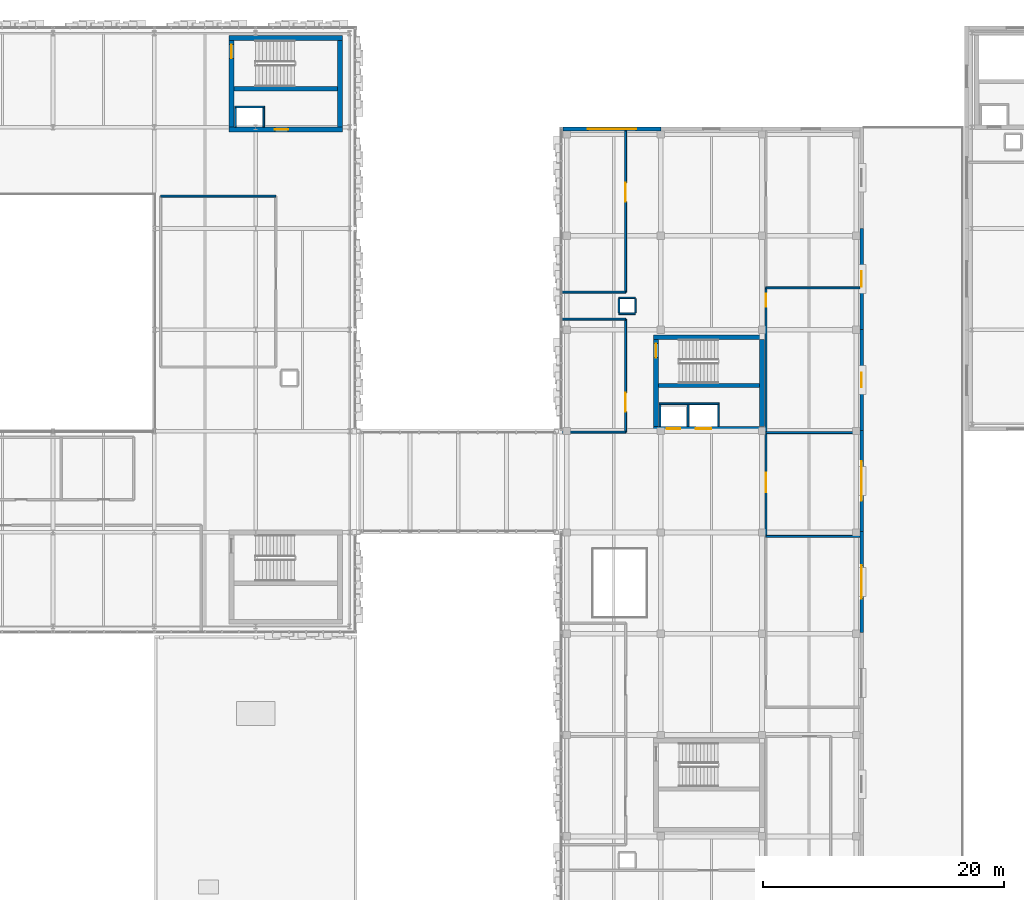
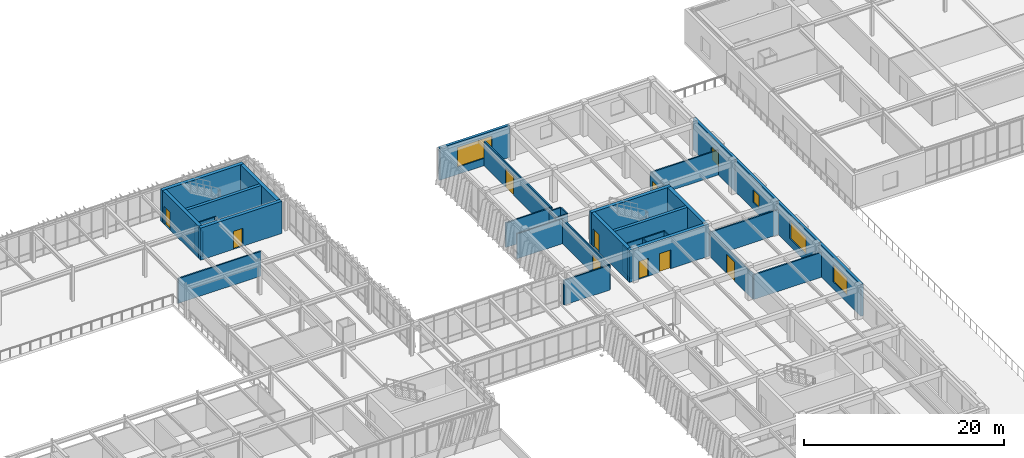
# One storey, part 109 of 127: 37 walls, 9 doors, 5 windows, 14 openings.
"""IFC4 building model written with IfcOpenShell, lengths in metres."""

import ifcopenshell
import ifcopenshell.guid

model = None  # the IFC model being written
_history = None  # IfcOwnerHistory: only IFC2X3 demands one
_inside = {}  # id of a spatial element -> (the spatial element, [elements in it])
_under = {}  # id of a project, library or spatial element -> (it, [spatial elements below it])
_declared = {}  # id of a project -> (the project, [libraries it declares])
_typed = {}  # id of a type object -> (the type object, [elements of that type])
_made_of = {}  # id of a material, layer set ... -> (it, [elements and type objects made of it])


def new_model(schema):
    """Start an empty IFC model of exactly this schema.

    Asked for "IFC4X3", IfcOpenShell would pick the latest addendum, in which some entities
    have other attributes; the version numbers below select the first issue.
    IFC2X3 requires an IfcOwnerHistory on every rooted entity: one is made here for all.
    """
    global model, _history
    if schema == "IFC4X3":
        model = ifcopenshell.file(schema_version=(4, 3, 0, 0))
    else:
        model = ifcopenshell.file(schema=schema)
    _inside.clear()
    _under.clear()
    _declared.clear()
    _typed.clear()
    _made_of.clear()
    _history = None
    if model.schema == "IFC2X3":
        org = make("IfcOrganization", Name="unknown")
        user = make(
            "IfcPersonAndOrganization",
            ThePerson=make("IfcPerson", FamilyName="unknown"),
            TheOrganization=org,
        )
        app = make(
            "IfcApplication",
            ApplicationDeveloper=org,
            Version="unknown",
            ApplicationFullName="unknown",
            ApplicationIdentifier="unknown",
        )
        _history = make(
            "IfcOwnerHistory",
            OwningUser=user,
            OwningApplication=app,
            ChangeAction="ADDED",
            CreationDate=0,
        )
    return model


def make(cls, **values):
    """One entity of the class cls with the attributes given. An attribute that is None is left unset."""
    return model.create_entity(
        cls, **{name: value for name, value in values.items() if value is not None}
    )


def rooted(cls, **values):
    """An entity with a GlobalId (a new one), such as an element, a storey or a relation."""
    return make(cls, GlobalId=ifcopenshell.guid.new(), OwnerHistory=_history, **values)


def si_unit(unit_type, name, prefix=None):
    """IfcSIUnit, for example si_unit("LENGTHUNIT", "METRE", prefix="MILLI")."""
    return make("IfcSIUnit", UnitType=unit_type, Prefix=prefix, Name=name)


def assignment(units):
    """IfcUnitAssignment: the units of a project."""
    return None if units is None else make("IfcUnitAssignment", Units=units)


def point(xyz):
    """IfcCartesianPoint."""
    return None if xyz is None else make("IfcCartesianPoint", Coordinates=xyz)


def direction(xyz):
    """IfcDirection."""
    return None if xyz is None else make("IfcDirection", DirectionRatios=xyz)


def frame(location, z_axis=None, x_axis=None):
    """IfcAxis2Placement3D, a coordinate frame: its origin and axes. An axis left out is left unset."""
    return make(
        "IfcAxis2Placement3D",
        Location=point(location),
        Axis=direction(z_axis),
        RefDirection=direction(x_axis),
    )


def frame_2d(location, x_axis=None):
    """IfcAxis2Placement2D, a coordinate frame in the plane: its origin and x axis."""
    return make(
        "IfcAxis2Placement2D", Location=point(location), RefDirection=direction(x_axis)
    )


def origin():
    """The frame at (0, 0, 0) with its axes left unset."""
    return frame((0.0, 0.0, 0.0))


def place(relative_to, where):
    """IfcLocalPlacement: puts the frame where relative to a parent placement (None: the world)."""
    return make(
        "IfcLocalPlacement", PlacementRelTo=relative_to, RelativePlacement=where
    )


def context(
    kind, dimensions, precision=None, world=None, true_north=None, identifier=None
):
    """IfcGeometricRepresentationContext, for example the 3D "Model" context."""
    return make(
        "IfcGeometricRepresentationContext",
        ContextIdentifier=identifier,
        ContextType=kind,
        CoordinateSpaceDimension=dimensions,
        Precision=precision,
        WorldCoordinateSystem=world,
        TrueNorth=true_north,
    )


def subcontext(parent, identifier, kind, view, scale=None):
    """IfcGeometricRepresentationSubContext, for example "Body" below "Model"."""
    return make(
        "IfcGeometricRepresentationSubContext",
        ContextIdentifier=identifier,
        ContextType=kind,
        ParentContext=parent,
        TargetScale=scale,
        TargetView=view,
    )


def project(units=None, contexts=None):
    """IfcProject with its units and contexts."""
    return rooted(
        "IfcProject",
        Name="project",
        RepresentationContexts=contexts,
        UnitsInContext=assignment(units),
    )


def spatial(cls, under=None, at=None, **own):
    """A site, building, storey or space (cls), placed at a placement, below another one or the project."""
    s = rooted(cls, ObjectPlacement=at, **own)
    if under is not None:
        _under.setdefault(under.id(), (under, []))[1].append(s)
    return s


def profile(cls, at=None, kind="AREA", **sizes):
    """A parametric profile (cls). Its sizes go by their IFC names, for example OverallWidth=200.0."""
    return make(cls, ProfileType=kind, Position=at, **sizes)


def rectangle(**sizes):
    """IfcRectangleProfileDef."""
    return profile("IfcRectangleProfileDef", **sizes)


def extrude(swept, where, along, depth):
    """IfcExtrudedAreaSolid: the profile swept, set in the frame where, extruded along a direction by depth."""
    return make(
        "IfcExtrudedAreaSolid",
        SweptArea=swept,
        Position=where,
        ExtrudedDirection=direction(along),
        Depth=depth,
    )


def shape(context_of_items, identifier, shape_type, items):
    """IfcShapeRepresentation: the items that make up one representation, for example the "Body"."""
    return make(
        "IfcShapeRepresentation",
        ContextOfItems=context_of_items,
        RepresentationIdentifier=identifier,
        RepresentationType=shape_type,
        Items=items,
    )


def material(Name=None, Category=None):
    """IfcMaterial."""
    return make("IfcMaterial", Name=Name, Category=Category)


def layer(
    of_material, thickness, ventilated=None, Name=None, Category=None, Priority=None
):
    """IfcMaterialLayer: one layer of a wall or slab, of a material (None: an air gap)."""
    return make(
        "IfcMaterialLayer",
        Material=of_material,
        LayerThickness=thickness,
        IsVentilated=ventilated,
        Name=Name,
        Category=Category,
        Priority=Priority,
    )


def layer_set(layers, Name=None):
    """IfcMaterialLayerSet."""
    return make("IfcMaterialLayerSet", MaterialLayers=layers, LayerSetName=Name)


def made_of(thing, what):
    """Note that an element or type object is made of a material, layer set ...; save() writes the relation."""
    if what is not None:
        _made_of.setdefault(what.id(), (what, []))[1].append(thing)
    return thing


def type_object(cls, material=None, **own):
    """A type object (cls), such as IfcWallType, which elements share."""
    return made_of(rooted(cls, **own), material)


def element(
    cls,
    number,
    at=None,
    inside=None,
    cuts=None,
    type_object=None,
    material=None,
    context=None,
    identifier="Body",
    shape_type=None,
    held_by="IfcProductDefinitionShape",
    body=None,
    shapes=None,
    **own,
):
    """One element of the class cls, such as IfcWall. Its Tag is "e" and its number.

    at: its placement. inside: the storey or other place that contains it. cuts: it is an
    opening in that element (IfcRelVoidsElement). A single representation is given by context,
    identifier, shape_type and body (its items); several are given by shapes. held_by: the class
    of the entity that holds the representations. save() writes the other relations.
    """
    e = rooted(cls, Tag="e%d" % number, ObjectPlacement=at, **own)
    if body is not None:
        shapes = [shape(context, identifier, shape_type, body)]
    if shapes is not None:
        e.Representation = make(held_by, Representations=shapes)
    if inside is not None:
        _inside.setdefault(inside.id(), (inside, []))[1].append(e)
    if cuts is not None:
        rooted(
            "IfcRelVoidsElement", RelatingBuildingElement=cuts, RelatedOpeningElement=e
        )
    if type_object is not None:
        _typed.setdefault(type_object.id(), (type_object, []))[1].append(e)
    return made_of(e, material)


def fill(opening, filler):
    """IfcRelFillsElement: the door or window that sits in an opening."""
    return rooted(
        "IfcRelFillsElement",
        RelatingOpeningElement=opening,
        RelatedBuildingElement=filler,
    )


def aggregate(whole, parts):
    """IfcRelAggregates: a whole, such as a stair, and the parts it consists of."""
    return rooted("IfcRelAggregates", RelatingObject=whole, RelatedObjects=parts)


def save(model, path):
    """Write the relations noted so far, then the file.

    IfcRelAggregates (storeys below a building ...), IfcRelContainedInSpatialStructure (elements
    in a storey), IfcRelDefinesByType, IfcRelAssociatesMaterial and IfcRelDeclares: one each for
    every whole, place, type object, material and project.
    """
    for whole, parts in _under.values():
        aggregate(whole, parts)
    for where, things in _inside.values():
        rooted(
            "IfcRelContainedInSpatialStructure",
            RelatedElements=things,
            RelatingStructure=where,
        )
    for kind, things in _typed.values():
        rooted("IfcRelDefinesByType", RelatedObjects=things, RelatingType=kind)
    for what, things in _made_of.values():
        rooted("IfcRelAssociatesMaterial", RelatedObjects=things, RelatingMaterial=what)
    for by, libraries in _declared.values():
        rooted("IfcRelDeclares", RelatingContext=by, RelatedDefinitions=libraries)
    model.write(path)


model = new_model("IFC4")

# Units and contexts
model_context = context("Model", 3, precision=1e-05, world=origin(), true_north=direction((0.0, 1.0)))
body_context = subcontext(model_context, "Body", "Model", "MODEL_VIEW")
ifc_project = project(units=[si_unit("LENGTHUNIT", "METRE"), si_unit("AREAUNIT", "SQUARE_METRE"), si_unit("VOLUMEUNIT", "CUBIC_METRE"), si_unit("PLANEANGLEUNIT", "RADIAN"), si_unit("MASSUNIT", "GRAM", prefix="KILO")], contexts=[model_context])

# Site, building, storey
site_placement = place(None, origin())
site = spatial("IfcSite", under=ifc_project, at=site_placement, CompositionType="ELEMENT")
building_placement = place(site_placement, origin())
building = spatial("IfcBuilding", under=site, at=building_placement, Name="Zayran Congress Hotel", CompositionType="ELEMENT")
storey_placement = place(building_placement, frame((0.0, 0.0, 10.800048828125)))
storey = spatial("IfcBuildingStorey", under=building, at=storey_placement, Name="L02", CompositionType="ELEMENT", Elevation=10.800048828125)

# Wall, opening, window
ifc_material_1 = material(Name="Ajlun white limestone and insulated concrete C32/40", Category="masonry")
ifc_layer_1 = layer(ifc_material_1, 0.300048828125)
ifc_layer_set_1 = layer_set([ifc_layer_1], Name="Ajlun white limestone and insulated concrete C32/40")
wall_type_1 = type_object("IfcWallType", Name="WL-EX-300", PredefinedType="SOLIDWALL", material=ifc_layer_set_1)
wall_1_placement = place(storey_placement, frame((109.5, 109.449951171875, 0.0), z_axis=(0.0, 0.0, 1.0), x_axis=(1.0, 0.0, 0.0)))
wall_1 = element("IfcWall", 1, at=wall_1_placement, inside=storey, type_object=wall_type_1, Name="EW-V4-N-L02-0", PredefinedType="SOLIDWALL", context=body_context, shape_type="SweptSolid", body=[
    extrude(rectangle(XDim=8.10009765625, YDim=0.300048828125, at=frame_2d((4.050048828125, 0.0))), origin(), (0.0, 0.0, 1.0), 3.919921875),
])
opening_1_placement = place(wall_1_placement, frame((2.050048828125, 0.0, 0.89990234375)))
opening_1 = element("IfcOpeningElement", 2, at=opening_1_placement, cuts=wall_1, Name="Opening WN-22", PredefinedType="OPENING", context=body_context, shape_type="SweptSolid", body=[
    extrude(rectangle(XDim=4.0, YDim=2.39990234375, at=frame_2d((2.0, 1.199951171875))), frame((0.0, 0.159912109375, 0.0), z_axis=(0.0, -1.0, 0.0), x_axis=(1.0, 0.0, 0.0)), (0.0, 0.0, 1.0), 0.320068359375),
])
ifc_material_2 = material(Name="Anodised aluminium and low-E insulated glass", Category="aluminium")
window_type_1 = type_object("IfcWindowType", Name="TP-WN-22", PartitioningType="TRIPLE_PANEL_VERTICAL", PredefinedType="WINDOW", material=ifc_material_2)
window_1_placement = place(opening_1_placement, origin())
window_1 = element("IfcWindow", 3, at=window_1_placement, inside=storey, type_object=window_type_1, Name="WIN-V4-0134", OverallHeight=2.39990234375, OverallWidth=4.0, PartitioningType="SINGLE_PANEL", PredefinedType="WINDOW", context=body_context, shape_type="SweptSolid", body=[
    extrude(rectangle(XDim=4.0, YDim=2.39990234375, at=frame_2d((2.0, 1.199951171875))), frame((0.0, 0.030029296875, 0.0), z_axis=(0.0, -1.0, 0.0), x_axis=(1.0, 0.0, 0.0)), (0.0, 0.0, 1.0), 0.06005859375),
])
fill(opening_1, window_1)

wall_2_placement = place(storey_placement, frame((134.25, 76.074951171875, 0.0), z_axis=(0.0, 0.0, 1.0), x_axis=(0.0, -1.0, 0.0)))
wall_2 = element("IfcWall", 4, at=wall_2_placement, inside=storey, type_object=wall_type_1, Name="EW-V4-E-L02-3", PredefinedType="SOLIDWALL", context=body_context, shape_type="SweptSolid", body=[
    extrude(rectangle(XDim=8.380859375, YDim=0.300048828125, at=frame_2d((4.1904296875, 0.0))), origin(), (0.0, 0.0, 1.0), 3.919921875),
])
opening_2_placement = place(wall_2_placement, frame((2.81591796875, 0.0, 0.89990234375)))
opening_2 = element("IfcOpeningElement", 5, at=opening_2_placement, cuts=wall_2, Name="Opening WN-29", PredefinedType="OPENING", context=body_context, shape_type="SweptSolid", body=[
    extrude(rectangle(XDim=2.75, YDim=2.10009765625, at=frame_2d((1.375, 1.050048828125))), frame((0.0, 0.159912109375, 0.0), z_axis=(0.0, -1.0, 0.0), x_axis=(1.0, 0.0, 0.0)), (0.0, 0.0, 1.0), 0.320068359375),
])
window_type_2 = type_object("IfcWindowType", Name="TP-WN-29", PartitioningType="TRIPLE_PANEL_VERTICAL", PredefinedType="WINDOW", material=ifc_material_2)
window_2_placement = place(opening_2_placement, origin())
window_2 = element("IfcWindow", 6, at=window_2_placement, inside=storey, type_object=window_type_2, Name="WIN-V4-0142", OverallHeight=2.10009765625, OverallWidth=2.75, PartitioningType="SINGLE_PANEL", PredefinedType="WINDOW", context=body_context, shape_type="SweptSolid", body=[
    extrude(rectangle(XDim=2.75, YDim=2.10009765625, at=frame_2d((1.375, 1.050048828125))), frame((0.0, 0.030029296875, 0.0), z_axis=(0.0, -1.0, 0.0), x_axis=(1.0, 0.0, 0.0)), (0.0, 0.0, 1.0), 0.06005859375),
])
fill(opening_2, window_2)

wall_3_placement = place(storey_placement, frame((134.25, 84.4560546875, 0.0), z_axis=(0.0, 0.0, 1.0), x_axis=(0.0, -1.0, 0.0)))
wall_3 = element("IfcWall", 7, at=wall_3_placement, inside=storey, type_object=wall_type_1, Name="EW-V4-E-L02-4", PredefinedType="SOLIDWALL", context=body_context, shape_type="SweptSolid", body=[
    extrude(rectangle(XDim=8.381103515625, YDim=0.300048828125, at=frame_2d((4.1904296875, 0.0))), origin(), (0.0, 0.0, 1.0), 3.919921875),
])
opening_3_placement = place(wall_3_placement, frame((2.541015625, 0.0, 0.89990234375)))
opening_3 = element("IfcOpeningElement", 8, at=opening_3_placement, cuts=wall_3, Name="Opening WN-30", PredefinedType="OPENING", context=body_context, shape_type="SweptSolid", body=[
    extrude(rectangle(XDim=3.300048828125, YDim=2.14990234375, at=frame_2d((1.64990234375, 1.074951171875))), frame((0.0, 0.159912109375, 0.0), z_axis=(0.0, -1.0, 0.0), x_axis=(1.0, 0.0, 0.0)), (0.0, 0.0, 1.0), 0.320068359375),
])
window_type_3 = type_object("IfcWindowType", Name="TP-WN-30", PartitioningType="TRIPLE_PANEL_VERTICAL", PredefinedType="WINDOW", material=ifc_material_2)
window_3_placement = place(opening_3_placement, origin())
window_3 = element("IfcWindow", 9, at=window_3_placement, inside=storey, type_object=window_type_3, Name="WIN-V4-0143", OverallHeight=2.14990234375, OverallWidth=3.300048828125, PartitioningType="SINGLE_PANEL", PredefinedType="WINDOW", context=body_context, shape_type="SweptSolid", body=[
    extrude(rectangle(XDim=3.300048828125, YDim=2.14990234375, at=frame_2d((1.64990234375, 1.074951171875))), frame((0.0, 0.030029296875, 0.0), z_axis=(0.0, -1.0, 0.0), x_axis=(1.0, 0.0, 0.0)), (0.0, 0.0, 1.0), 0.06005859375),
])
fill(opening_3, window_3)

wall_4_placement = place(storey_placement, frame((134.25, 92.8369140625, 0.0), z_axis=(0.0, 0.0, 1.0), x_axis=(0.0, -1.0, 0.0)))
wall_4 = element("IfcWall", 10, at=wall_4_placement, inside=storey, type_object=wall_type_1, Name="EW-V4-E-L02-5", PredefinedType="SOLIDWALL", context=body_context, shape_type="SweptSolid", body=[
    extrude(rectangle(XDim=8.380859375, YDim=0.300048828125, at=frame_2d((4.1904296875, 0.0))), origin(), (0.0, 0.0, 1.0), 3.919921875),
])
opening_4_placement = place(wall_4_placement, frame((3.60107421875, 0.0, 0.89990234375)))
opening_4 = element("IfcOpeningElement", 11, at=opening_4_placement, cuts=wall_4, Name="Opening WN-31", PredefinedType="OPENING", context=body_context, shape_type="SweptSolid", body=[
    extrude(rectangle(XDim=1.179931640625, YDim=1.5, at=frame_2d((0.58984375, 0.75))), frame((0.0, 0.159912109375, 0.0), z_axis=(0.0, -1.0, 0.0), x_axis=(1.0, 0.0, 0.0)), (0.0, 0.0, 1.0), 0.320068359375),
])
window_type_4 = type_object("IfcWindowType", Name="TP-WN-31", PartitioningType="SINGLE_PANEL", PredefinedType="WINDOW", material=ifc_material_2)
window_4_placement = place(opening_4_placement, origin())
window_4 = element("IfcWindow", 12, at=window_4_placement, inside=storey, type_object=window_type_4, Name="WIN-V4-0144", OverallHeight=1.5, OverallWidth=1.179931640625, PartitioningType="SINGLE_PANEL", PredefinedType="WINDOW", context=body_context, shape_type="SweptSolid", body=[
    extrude(rectangle(XDim=1.179931640625, YDim=1.5, at=frame_2d((0.58984375, 0.75))), frame((0.0, 0.030029296875, 0.0), z_axis=(0.0, -1.0, 0.0), x_axis=(1.0, 0.0, 0.0)), (0.0, 0.0, 1.0), 0.06005859375),
])
fill(opening_4, window_4)

wall_5_placement = place(storey_placement, frame((134.25, 101.218994140625, 0.0), z_axis=(0.0, 0.0, 1.0), x_axis=(0.0, -1.0, 0.0)))
wall_5 = element("IfcWall", 13, at=wall_5_placement, inside=storey, type_object=wall_type_1, Name="EW-V4-E-L02-6", PredefinedType="SOLIDWALL", context=body_context, shape_type="SweptSolid", body=[
    extrude(rectangle(XDim=8.382080078125, YDim=0.300048828125, at=frame_2d((4.19091796875, 0.0))), origin(), (0.0, 0.0, 1.0), 3.919921875),
])
opening_5_placement = place(wall_5_placement, frame((3.551025390625, 0.0, 0.89990234375)))
opening_5 = element("IfcOpeningElement", 14, at=opening_5_placement, cuts=wall_5, Name="Opening WN-32", PredefinedType="OPENING", context=body_context, shape_type="SweptSolid", body=[
    extrude(rectangle(XDim=1.280029296875, YDim=1.60009765625, at=frame_2d((0.64013671875, 0.800048828125))), frame((0.0, 0.159912109375, 0.0), z_axis=(0.0, -1.0, 0.0), x_axis=(1.0, 0.0, 0.0)), (0.0, 0.0, 1.0), 0.320068359375),
])
window_type_5 = type_object("IfcWindowType", Name="TP-WN-32", PartitioningType="SINGLE_PANEL", PredefinedType="WINDOW", material=ifc_material_2)
window_5_placement = place(opening_5_placement, origin())
window_5 = element("IfcWindow", 15, at=window_5_placement, inside=storey, type_object=window_type_5, Name="WIN-V4-0145", OverallHeight=1.60009765625, OverallWidth=1.280029296875, PartitioningType="SINGLE_PANEL", PredefinedType="WINDOW", context=body_context, shape_type="SweptSolid", body=[
    extrude(rectangle(XDim=1.280029296875, YDim=1.60009765625, at=frame_2d((0.64013671875, 0.800048828125))), frame((0.0, 0.030029296875, 0.0), z_axis=(0.0, -1.0, 0.0), x_axis=(1.0, 0.0, 0.0)), (0.0, 0.0, 1.0), 0.06005859375),
])
fill(opening_5, window_5)

# Wall, opening, door
ifc_material_3 = material(Name="Concrete C40/50", Category="concrete")
ifc_layer_2 = layer(ifc_material_3, 0.39990234375)
ifc_layer_set_2 = layer_set([ifc_layer_2], Name="Concrete C40/50")
wall_type_2 = type_object("IfcWallType", Name="WL-SH-400", PredefinedType="SHEAR", material=ifc_layer_set_2)
wall_6_placement = place(storey_placement, frame((81.800048828125, 109.39990234375, 0.0), z_axis=(0.0, 0.0, 1.0), x_axis=(1.0, 0.0, 0.0)))
wall_6 = element("IfcWall", 16, at=wall_6_placement, inside=storey, type_object=wall_type_2, Name="CWALL-C-V1E-L02-S", PredefinedType="SHEAR", context=body_context, shape_type="SweptSolid", body=[
    extrude(rectangle(XDim=9.39990234375, YDim=0.39990234375, at=frame_2d((4.699951171875, 0.0))), origin(), (0.0, 0.0, 1.0), 3.919921875),
])
opening_6_placement = place(wall_6_placement, frame((3.800048828125, 0.0, 0.0)))
opening_6 = element("IfcOpeningElement", 17, at=opening_6_placement, cuts=wall_6, Name="Opening LD-PL05", PredefinedType="OPENING", context=body_context, shape_type="SweptSolid", body=[
    extrude(rectangle(XDim=1.10009765625, YDim=2.199951171875, at=frame_2d((0.550048828125, 1.10009765625))), frame((0.0, 0.2099609375, 0.0), z_axis=(0.0, -1.0, 0.0), x_axis=(1.0, 0.0, 0.0)), (0.0, 0.0, 1.0), 0.419921875),
])
ifc_material_4 = material(Name="Brushed stainless steel sliding lift landing door", Category="steel")
door_type_1 = type_object("IfcDoorType", Name="TP-DR-LD-01", OperationType="DOUBLE_DOOR_SLIDING", PredefinedType="DOOR", material=ifc_material_4)
door_1_placement = place(opening_6_placement, origin())
door_1 = element("IfcDoor", 18, at=door_1_placement, inside=storey, type_object=door_type_1, Name="Lift PL-05 Sliding Landing Door L02", OperationType="DOUBLE_DOOR_SLIDING", OverallHeight=2.199951171875, OverallWidth=1.10009765625, PredefinedType="DOOR", context=body_context, shape_type="SweptSolid", body=[
    extrude(rectangle(XDim=1.10009765625, YDim=2.199951171875, at=frame_2d((0.550048828125, 1.10009765625))), frame((0.0, 0.02490234375, 0.0), z_axis=(0.0, -1.0, 0.0), x_axis=(1.0, 0.0, 0.0)), (0.0, 0.0, 1.0), 0.050048828125),
])
fill(opening_6, door_1)

# Wall
wall_7_placement = place(storey_placement, frame((91.199951171875, 116.985107421875, 0.0), z_axis=(0.0, 0.0, 1.0), x_axis=(-1.0, 0.0, 0.0)))
element("IfcWall", 19, at=wall_7_placement, inside=storey, type_object=wall_type_2, Name="CWALL-C-V1E-L02-N", PredefinedType="SHEAR", context=body_context, shape_type="SweptSolid", body=[
    extrude(rectangle(XDim=9.39990234375, YDim=0.39990234375, at=frame_2d((4.699951171875, 0.0))), origin(), (0.0, 0.0, 1.0), 3.919921875),
])

# Wall, opening, door
wall_8_placement = place(storey_placement, frame((82.0, 116.800048828125, 0.0), z_axis=(0.0, 0.0, 1.0), x_axis=(0.0, -1.0, 0.0)))
wall_8 = element("IfcWall", 20, at=wall_8_placement, inside=storey, type_object=wall_type_2, Name="CWALL-C-V1E-L02-W", PredefinedType="SHEAR", context=body_context, shape_type="SweptSolid", body=[
    extrude(rectangle(XDim=7.199951171875, YDim=0.39990234375, at=frame_2d((3.60009765625, 0.0))), origin(), (0.0, 0.0, 1.0), 3.919921875),
])
opening_7_placement = place(wall_8_placement, frame((0.35009765625, 0.0, 0.0)))
opening_7 = element("IfcOpeningElement", 21, at=opening_7_placement, cuts=wall_8, Name="Opening DR-FD-90", PredefinedType="OPENING", context=body_context, shape_type="SweptSolid", body=[
    extrude(rectangle(XDim=1.14990234375, YDim=2.199951171875, at=frame_2d((0.574951171875, 1.10009765625))), frame((0.0, 0.2099609375, 0.0), z_axis=(0.0, -1.0, 0.0), x_axis=(1.0, 0.0, 0.0)), (0.0, 0.0, 1.0), 0.419921875),
])
ifc_material_5 = material(Name="Painted steel fire door assembly", Category="steel")
door_type_2 = type_object("IfcDoorType", Name="TP-DR-FD-90", OperationType="NOTDEFINED", PredefinedType="DOOR", material=ifc_material_5)
door_2_placement = place(opening_7_placement, origin())
door_2 = element("IfcDoor", 22, at=door_2_placement, inside=storey, type_object=door_type_2, Name="ST-04 Exit Stair Door L02", OperationType="SINGLE_SWING_RIGHT", OverallHeight=2.199951171875, OverallWidth=1.14990234375, PredefinedType="DOOR", context=body_context, shape_type="SweptSolid", body=[
    extrude(rectangle(XDim=1.14990234375, YDim=2.199951171875, at=frame_2d((0.574951171875, 1.10009765625))), frame((0.0, 0.02490234375, 0.0), z_axis=(0.0, -1.0, 0.0), x_axis=(1.0, 0.0, 0.0)), (0.0, 0.0, 1.0), 0.050048828125),
])
fill(opening_7, door_2)

# Wall
wall_9_placement = place(storey_placement, frame((91.0, 109.60009765625, 0.0), z_axis=(0.0, 0.0, 1.0), x_axis=(0.0, 1.0, 0.0)))
element("IfcWall", 23, at=wall_9_placement, inside=storey, type_object=wall_type_2, Name="CWALL-C-V1E-L02-E", PredefinedType="SHEAR", context=body_context, shape_type="SweptSolid", body=[
    extrude(rectangle(XDim=7.199951171875, YDim=0.39990234375, at=frame_2d((3.60009765625, 0.0))), origin(), (0.0, 0.0, 1.0), 3.919921875),
])

# Wall, openings, doors
wall_10_placement = place(storey_placement, frame((117.0, 84.60009765625, 0.0), z_axis=(0.0, 0.0, 1.0), x_axis=(1.0, 0.0, 0.0)))
wall_10 = element("IfcWall", 24, at=wall_10_placement, inside=storey, type_object=wall_type_2, Name="CWALL-C-V4N-L02-S", PredefinedType="SHEAR", context=body_context, shape_type="SweptSolid", body=[
    extrude(rectangle(XDim=9.199951171875, YDim=0.39990234375, at=frame_2d((4.60009765625, 0.0))), origin(), (0.0, 0.0, 1.0), 3.919921875),
])
opening_8_placement = place(wall_10_placement, frame((1.10009765625, 0.0, 0.0)))
opening_8 = element("IfcOpeningElement", 25, at=opening_8_placement, cuts=wall_10, Name="Opening LD-PL06", PredefinedType="OPENING", context=body_context, shape_type="SweptSolid", body=[
    extrude(rectangle(XDim=1.10009765625, YDim=2.199951171875, at=frame_2d((0.550048828125, 1.10009765625))), frame((0.0, 0.2099609375, 0.0), z_axis=(0.0, -1.0, 0.0), x_axis=(1.0, 0.0, 0.0)), (0.0, 0.0, 1.0), 0.419921875),
])
opening_9_placement = place(wall_10_placement, frame((3.5, 0.0, 0.0)))
opening_9 = element("IfcOpeningElement", 26, at=opening_9_placement, cuts=wall_10, Name="Opening LD-SV02", PredefinedType="OPENING", context=body_context, shape_type="SweptSolid", body=[
    extrude(rectangle(XDim=1.300048828125, YDim=2.300048828125, at=frame_2d((0.64990234375, 1.14990234375))), frame((0.0, 0.2099609375, 0.0), z_axis=(0.0, -1.0, 0.0), x_axis=(1.0, 0.0, 0.0)), (0.0, 0.0, 1.0), 0.419921875),
])
door_3_placement = place(opening_8_placement, origin())
door_3 = element("IfcDoor", 27, at=door_3_placement, inside=storey, type_object=door_type_1, Name="Lift PL-06 Sliding Landing Door L02", OperationType="DOUBLE_DOOR_SLIDING", OverallHeight=2.199951171875, OverallWidth=1.10009765625, PredefinedType="DOOR", context=body_context, shape_type="SweptSolid", body=[
    extrude(rectangle(XDim=1.10009765625, YDim=2.199951171875, at=frame_2d((0.550048828125, 1.10009765625))), frame((0.0, 0.02490234375, 0.0), z_axis=(0.0, -1.0, 0.0), x_axis=(1.0, 0.0, 0.0)), (0.0, 0.0, 1.0), 0.050048828125),
])
fill(opening_8, door_3)
ifc_material_6 = material(Name="Heavy-duty stainless steel service lift landing door", Category="steel")
door_type_3 = type_object("IfcDoorType", Name="TP-DR-LD-03", OperationType="DOUBLE_DOOR_SLIDING", PredefinedType="DOOR", material=ifc_material_6)
door_4_placement = place(opening_9_placement, origin())
door_4 = element("IfcDoor", 28, at=door_4_placement, inside=storey, type_object=door_type_3, Name="Lift SV-02 Sliding Landing Door L02", OperationType="DOUBLE_DOOR_SLIDING", OverallHeight=2.300048828125, OverallWidth=1.300048828125, PredefinedType="DOOR", context=body_context, shape_type="SweptSolid", body=[
    extrude(rectangle(XDim=1.300048828125, YDim=2.300048828125, at=frame_2d((0.64990234375, 1.14990234375))), frame((0.0, 0.02490234375, 0.0), z_axis=(0.0, -1.0, 0.0), x_axis=(1.0, 0.0, 0.0)), (0.0, 0.0, 1.0), 0.050048828125),
])
fill(opening_9, door_4)

# Wall
wall_11_placement = place(storey_placement, frame((126.199951171875, 92.18505859375, 0.0), z_axis=(0.0, 0.0, 1.0), x_axis=(-1.0, 0.0, 0.0)))
element("IfcWall", 29, at=wall_11_placement, inside=storey, type_object=wall_type_2, Name="CWALL-C-V4N-L02-N", PredefinedType="SHEAR", context=body_context, shape_type="SweptSolid", body=[
    extrude(rectangle(XDim=9.199951171875, YDim=0.39990234375, at=frame_2d((4.60009765625, 0.0))), origin(), (0.0, 0.0, 1.0), 3.919921875),
])

# Wall, opening, door
wall_12_placement = place(storey_placement, frame((117.199951171875, 92.0, 0.0), z_axis=(0.0, 0.0, 1.0), x_axis=(0.0, -1.0, 0.0)))
wall_12 = element("IfcWall", 30, at=wall_12_placement, inside=storey, type_object=wall_type_2, Name="CWALL-C-V4N-L02-W", PredefinedType="SHEAR", context=body_context, shape_type="SweptSolid", body=[
    extrude(rectangle(XDim=7.199951171875, YDim=0.39990234375, at=frame_2d((3.60009765625, 0.0))), origin(), (0.0, 0.0, 1.0), 3.919921875),
])
opening_10_placement = place(wall_12_placement, frame((0.35009765625, 0.0, 0.0)))
opening_10 = element("IfcOpeningElement", 31, at=opening_10_placement, cuts=wall_12, Name="Opening DR-FD-90", PredefinedType="OPENING", context=body_context, shape_type="SweptSolid", body=[
    extrude(rectangle(XDim=1.14990234375, YDim=2.199951171875, at=frame_2d((0.574951171875, 1.10009765625))), frame((0.0, 0.2099609375, 0.0), z_axis=(0.0, -1.0, 0.0), x_axis=(1.0, 0.0, 0.0)), (0.0, 0.0, 1.0), 0.419921875),
])
door_5_placement = place(opening_10_placement, origin())
door_5 = element("IfcDoor", 32, at=door_5_placement, inside=storey, type_object=door_type_2, Name="ST-07 Exit Stair Door L02", OperationType="SINGLE_SWING_LEFT", OverallHeight=2.199951171875, OverallWidth=1.14990234375, PredefinedType="DOOR", context=body_context, shape_type="SweptSolid", body=[
    extrude(rectangle(XDim=1.14990234375, YDim=2.199951171875, at=frame_2d((0.574951171875, 1.10009765625))), frame((0.0, 0.02490234375, 0.0), z_axis=(0.0, -1.0, 0.0), x_axis=(1.0, 0.0, 0.0)), (0.0, 0.0, 1.0), 0.050048828125),
])
fill(opening_10, door_5)

# Walls
wall_13_placement = place(storey_placement, frame((126.0, 84.800048828125, 0.0), z_axis=(0.0, 0.0, 1.0), x_axis=(0.0, 1.0, 0.0)))
element("IfcWall", 33, at=wall_13_placement, inside=storey, type_object=wall_type_2, Name="CWALL-C-V4N-L02-E", PredefinedType="SHEAR", context=body_context, shape_type="SweptSolid", body=[
    extrude(rectangle(XDim=7.199951171875, YDim=0.39990234375, at=frame_2d((3.60009765625, 0.0))), origin(), (0.0, 0.0, 1.0), 3.919921875),
])
ifc_layer_3 = layer(ifc_material_3, 0.35009765625)
ifc_layer_set_3 = layer_set([ifc_layer_3], Name="Concrete C40/50")
wall_type_3 = type_object("IfcWallType", Name="WL-SH-350", PredefinedType="SHEAR", material=ifc_layer_set_3)
wall_14_placement = place(storey_placement, frame((82.199951171875, 112.784912109375, 0.0), z_axis=(0.0, 0.0, 1.0), x_axis=(1.0, 0.0, 0.0)))
element("IfcWall", 34, at=wall_14_placement, inside=storey, type_object=wall_type_3, Name="CWALL-C-V1E-L02-SPN", PredefinedType="SHEAR", context=body_context, shape_type="SweptSolid", body=[
    extrude(rectangle(XDim=8.60009765625, YDim=0.35009765625, at=frame_2d((4.300048828125, 0.0))), origin(), (0.0, 0.0, 1.0), 3.919921875),
])
wall_15_placement = place(storey_placement, frame((117.39990234375, 88.18505859375, 0.0), z_axis=(0.0, 0.0, 1.0), x_axis=(1.0, 0.0, 0.0)))
element("IfcWall", 35, at=wall_15_placement, inside=storey, type_object=wall_type_3, Name="CWALL-C-V4N-L02-SPN", PredefinedType="SHEAR", context=body_context, shape_type="SweptSolid", body=[
    extrude(rectangle(XDim=8.400146484375, YDim=0.35009765625, at=frame_2d((4.2001953125, 0.0))), origin(), (0.0, 0.0, 1.0), 3.919921875),
])

# Wall, opening, door
ifc_material_7 = material(Name="Acoustic twin-stud gypsum partition", Category="gypsum")
ifc_layer_4 = layer(ifc_material_7, 0.159912109375)
ifc_layer_set_4 = layer_set([ifc_layer_4], Name="Acoustic twin-stud gypsum partition")
wall_type_4 = type_object("IfcWallType", Name="WL-PT-160", PredefinedType="PARTITIONING", material=ifc_layer_set_4)
wall_16_placement = place(storey_placement, frame((126.320068359375, 75.719970703125, 0.0), z_axis=(0.0, 0.0, 1.0), x_axis=(0.0, 1.0, 0.0)))
wall_16 = element("IfcWall", 36, at=wall_16_placement, inside=storey, type_object=wall_type_4, Name="IW-L02-0508", PredefinedType="PARTITIONING", context=body_context, shape_type="SweptSolid", body=[
    extrude(rectangle(XDim=8.56005859375, YDim=0.159912109375, at=frame_2d((4.280029296875, 0.0))), origin(), (0.0, 0.0, 1.0), 3.02001953125),
])
opening_11_placement = place(wall_16_placement, frame((3.6298828125, 0.0, 0.0)))
opening_11 = element("IfcOpeningElement", 37, at=opening_11_placement, cuts=wall_16, Name="Opening DR-MT-02", PredefinedType="OPENING", context=body_context, shape_type="SweptSolid", body=[
    extrude(rectangle(XDim=1.60009765625, YDim=2.300048828125, at=frame_2d((0.800048828125, 1.14990234375))), frame((0.0, 0.08984375, 0.0), z_axis=(0.0, -1.0, 0.0), x_axis=(1.0, 0.0, 0.0)), (0.0, 0.0, 1.0), 0.179931640625),
])
ifc_material_8 = material(Name="Double acoustic timber boardroom door", Category="wood")
door_type_4 = type_object("IfcDoorType", Name="TP-DR-MT-02", OperationType="DOUBLE_DOOR_SINGLE_SWING", PredefinedType="DOOR", material=ifc_material_8)
door_6_placement = place(opening_11_placement, origin())
door_6 = element("IfcDoor", 38, at=door_6_placement, inside=storey, type_object=door_type_4, Name="Boardroom L02-04 Door", OperationType="DOUBLE_DOOR_SINGLE_SWING", OverallHeight=2.300048828125, OverallWidth=1.60009765625, PredefinedType="DOOR", context=body_context, shape_type="SweptSolid", body=[
    extrude(rectangle(XDim=1.60009765625, YDim=2.300048828125, at=frame_2d((0.800048828125, 1.14990234375))), frame((0.0, 0.02490234375, 0.0), z_axis=(0.0, -1.0, 0.0), x_axis=(1.0, 0.0, 0.0)), (0.0, 0.0, 1.0), 0.050048828125),
])
fill(opening_11, door_6)

wall_17_placement = place(storey_placement, frame((114.679931640625, 84.320068359375, 0.0), z_axis=(0.0, 0.0, 1.0), x_axis=(0.0, 1.0, 0.0)))
wall_17 = element("IfcWall", 39, at=wall_17_placement, inside=storey, type_object=wall_type_4, Name="IW-L02-0509", PredefinedType="PARTITIONING", context=body_context, shape_type="SweptSolid", body=[
    extrude(rectangle(XDim=9.35986328125, YDim=0.159912109375, at=frame_2d((4.679931640625, 0.0))), origin(), (0.0, 0.0, 1.0), 3.02001953125),
])
opening_12_placement = place(wall_17_placement, frame((1.679931640625, 0.0, 0.0)))
opening_12 = element("IfcOpeningElement", 40, at=opening_12_placement, cuts=wall_17, Name="Opening DR-MT-02", PredefinedType="OPENING", context=body_context, shape_type="SweptSolid", body=[
    extrude(rectangle(XDim=1.60009765625, YDim=2.300048828125, at=frame_2d((0.800048828125, 1.14990234375))), frame((0.0, 0.08984375, 0.0), z_axis=(0.0, -1.0, 0.0), x_axis=(1.0, 0.0, 0.0)), (0.0, 0.0, 1.0), 0.179931640625),
])
door_7_placement = place(opening_12_placement, origin())
door_7 = element("IfcDoor", 41, at=door_7_placement, inside=storey, type_object=door_type_4, Name="Boardroom L02-05 Door", OperationType="DOUBLE_DOOR_SINGLE_SWING", OverallHeight=2.300048828125, OverallWidth=1.60009765625, PredefinedType="DOOR", context=body_context, shape_type="SweptSolid", body=[
    extrude(rectangle(XDim=1.60009765625, YDim=2.300048828125, at=frame_2d((0.800048828125, 1.14990234375))), frame((0.0, 0.02490234375, 0.0), z_axis=(0.0, -1.0, 0.0), x_axis=(1.0, 0.0, 0.0)), (0.0, 0.0, 1.0), 0.050048828125),
])
fill(opening_12, door_7)

wall_18_placement = place(storey_placement, frame((126.320068359375, 84.320068359375, 0.0), z_axis=(0.0, 0.0, 1.0), x_axis=(0.0, 1.0, 0.0)))
wall_18 = element("IfcWall", 42, at=wall_18_placement, inside=storey, type_object=wall_type_4, Name="IW-L02-0510", PredefinedType="PARTITIONING", context=body_context, shape_type="SweptSolid", body=[
    extrude(rectangle(XDim=11.9599609375, YDim=0.159912109375, at=frame_2d((5.97998046875, 0.0))), origin(), (0.0, 0.0, 1.0), 3.02001953125),
])
opening_13_placement = place(wall_18_placement, frame((10.39990234375, 0.0, 0.0)))
opening_13 = element("IfcOpeningElement", 43, at=opening_13_placement, cuts=wall_18, Name="Opening DR-MT-01", PredefinedType="OPENING", context=body_context, shape_type="SweptSolid", body=[
    extrude(rectangle(XDim=1.080078125, YDim=2.25, at=frame_2d((0.5400390625, 1.125))), frame((0.0, 0.08984375, 0.0), z_axis=(0.0, -1.0, 0.0), x_axis=(1.0, 0.0, 0.0)), (0.0, 0.0, 1.0), 0.179931640625),
])
ifc_material_9 = material(Name="Acoustic timber seminar room door", Category="wood")
door_type_5 = type_object("IfcDoorType", Name="TP-DR-MT-01", OperationType="NOTDEFINED", PredefinedType="DOOR", material=ifc_material_9)
door_8_placement = place(opening_13_placement, origin())
door_8 = element("IfcDoor", 44, at=door_8_placement, inside=storey, type_object=door_type_5, Name="Meeting Room East L02-05 Door", OperationType="SINGLE_SWING_RIGHT", OverallHeight=2.25, OverallWidth=1.080078125, PredefinedType="DOOR", context=body_context, shape_type="SweptSolid", body=[
    extrude(rectangle(XDim=1.080078125, YDim=2.25, at=frame_2d((0.5400390625, 1.125))), frame((0.0, 0.02490234375, 0.0), z_axis=(0.0, -1.0, 0.0), x_axis=(1.0, 0.0, 0.0)), (0.0, 0.0, 1.0), 0.050048828125),
])
fill(opening_13, door_8)

wall_19_placement = place(storey_placement, frame((114.679931640625, 95.919921875, 0.0), z_axis=(0.0, 0.0, 1.0), x_axis=(0.0, 1.0, 0.0)))
wall_19 = element("IfcWall", 45, at=wall_19_placement, inside=storey, type_object=wall_type_4, Name="IW-L02-0511", PredefinedType="PARTITIONING", context=body_context, shape_type="SweptSolid", body=[
    extrude(rectangle(XDim=13.380126953125, YDim=0.159912109375, at=frame_2d((6.68994140625, 0.0))), origin(), (0.0, 0.0, 1.0), 3.02001953125),
])
opening_14_placement = place(wall_19_placement, frame((7.47998046875, 0.0, 0.0)))
opening_14 = element("IfcOpeningElement", 46, at=opening_14_placement, cuts=wall_19, Name="Opening DR-MT-02", PredefinedType="OPENING", context=body_context, shape_type="SweptSolid", body=[
    extrude(rectangle(XDim=1.60009765625, YDim=2.300048828125, at=frame_2d((0.800048828125, 1.14990234375))), frame((0.0, 0.08984375, 0.0), z_axis=(0.0, -1.0, 0.0), x_axis=(1.0, 0.0, 0.0)), (0.0, 0.0, 1.0), 0.179931640625),
])
door_9_placement = place(opening_14_placement, origin())
door_9 = element("IfcDoor", 47, at=door_9_placement, inside=storey, type_object=door_type_4, Name="Boardroom L02-06 Door", OperationType="DOUBLE_DOOR_SINGLE_SWING", OverallHeight=2.300048828125, OverallWidth=1.60009765625, PredefinedType="DOOR", context=body_context, shape_type="SweptSolid", body=[
    extrude(rectangle(XDim=1.60009765625, YDim=2.300048828125, at=frame_2d((0.800048828125, 1.14990234375))), frame((0.0, 0.02490234375, 0.0), z_axis=(0.0, -1.0, 0.0), x_axis=(1.0, 0.0, 0.0)), (0.0, 0.0, 1.0), 0.050048828125),
])
fill(opening_14, door_9)

# Walls
wall_20_placement = place(storey_placement, frame((76.1201171875, 103.8798828125, 0.0), z_axis=(0.0, 0.0, 1.0), x_axis=(1.0, 0.0, 0.0)))
element("IfcWall", 48, at=wall_20_placement, inside=storey, type_object=wall_type_4, Name="IW-L02-1801", PredefinedType="PARTITIONING", context=body_context, shape_type="SweptSolid", body=[
    extrude(rectangle(XDim=9.559814453125, YDim=0.159912109375, at=frame_2d((4.77978515625, 0.0))), origin(), (0.0, 0.0, 1.0), 3.02001953125),
])
for number, where, z_axis, x_axis, name in (
    (49, (126.320068359375, 75.679931640625, 0.0), (0.0, 0.0, 1.0), (1.0, 0.0, 0.0), "IW-L02-1819"),
    (50, (126.320068359375, 84.280029296875, 0.0), (0.0, 0.0, 1.0), (1.0, 0.0, 0.0), "IW-L02-1820"),
):
    element("IfcWall", number, at=place(storey_placement, frame(where, z_axis=z_axis, x_axis=x_axis)), inside=storey, type_object=wall_type_4, Name=name, PredefinedType="PARTITIONING", context=body_context, shape_type="SweptSolid", body=[
        extrude(rectangle(XDim=7.780029296875, YDim=0.159912109375, at=frame_2d((3.89013671875, 0.0))), origin(), (0.0, 0.0, 1.0), 3.02001953125),
    ])
for number, where, z_axis, x_axis, name in (
    (51, (109.360107421875, 84.320068359375, 0.0), (0.0, 0.0, 1.0), (1.0, 0.0, 0.0), "IW-L02-1821"),
    (52, (109.360107421875, 93.679931640625, 0.0), (0.0, 0.0, 1.0), (1.0, 0.0, 0.0), "IW-L02-1822"),
):
    element("IfcWall", number, at=place(storey_placement, frame(where, z_axis=z_axis, x_axis=x_axis)), inside=storey, type_object=wall_type_4, Name=name, PredefinedType="PARTITIONING", context=body_context, shape_type="SweptSolid", body=[
        extrude(rectangle(XDim=5.31982421875, YDim=0.159912109375, at=frame_2d((2.659912109375, 0.0))), origin(), (0.0, 0.0, 1.0), 3.02001953125),
    ])
wall_21_placement = place(storey_placement, frame((126.320068359375, 96.280029296875, 0.0), z_axis=(0.0, 0.0, 1.0), x_axis=(1.0, 0.0, 0.0)))
element("IfcWall", 53, at=wall_21_placement, inside=storey, type_object=wall_type_4, Name="IW-L02-1823", PredefinedType="PARTITIONING", context=body_context, shape_type="SweptSolid", body=[
    extrude(rectangle(XDim=7.780029296875, YDim=0.159912109375, at=frame_2d((3.89013671875, 0.0))), origin(), (0.0, 0.0, 1.0), 3.02001953125),
])
wall_22_placement = place(storey_placement, frame((109.360107421875, 95.919921875, 0.0), z_axis=(0.0, 0.0, 1.0), x_axis=(1.0, 0.0, 0.0)))
element("IfcWall", 54, at=wall_22_placement, inside=storey, type_object=wall_type_4, Name="IW-L02-1824", PredefinedType="PARTITIONING", context=body_context, shape_type="SweptSolid", body=[
    extrude(rectangle(XDim=5.31982421875, YDim=0.159912109375, at=frame_2d((2.659912109375, 0.0))), origin(), (0.0, 0.0, 1.0), 3.02001953125),
])
ifc_material_10 = material(Name="Hospitality guestroom acoustic partition", Category="gypsum")
ifc_layer_5 = layer(ifc_material_10, 0.139892578125)
ifc_layer_set_5 = layer_set([ifc_layer_5], Name="Hospitality guestroom acoustic partition")
wall_type_5 = type_object("IfcWallType", Name="WL-PT-140", PredefinedType="PARTITIONING", material=ifc_layer_set_5)
for number, where, z_axis, x_axis, name in (
    (55, (82.330078125, 109.60009765625, 0.0), (0.0, 0.0, 1.0), (0.0, 1.0, 0.0), "LSHW-C-V1E-L02-W"),
    (56, (84.669921875, 109.60009765625, 0.0), (0.0, 0.0, 1.0), (0.0, 1.0, 0.0), "LSHW-C-V1E-L02-E"),
):
    element("IfcWall", number, at=place(storey_placement, frame(where, z_axis=z_axis, x_axis=x_axis)), inside=storey, type_object=wall_type_5, Name=name, PredefinedType="PARTITIONING", context=body_context, shape_type="SweptSolid", body=[
        extrude(rectangle(XDim=1.599853515625, YDim=0.139892578125, at=frame_2d((0.7998046875, 0.0))), origin(), (0.0, 0.0, 1.0), 3.070068359375),
    ])
wall_23_placement = place(storey_placement, frame((82.260009765625, 111.27001953125, 0.0), z_axis=(0.0, 0.0, 1.0), x_axis=(1.0, 0.0, 0.0)))
element("IfcWall", 57, at=wall_23_placement, inside=storey, type_object=wall_type_5, Name="LSHW-C-V1E-L02-N", PredefinedType="PARTITIONING", context=body_context, shape_type="SweptSolid", body=[
    extrude(rectangle(XDim=2.47998046875, YDim=0.139892578125, at=frame_2d((1.239990234375, 0.0))), origin(), (0.0, 0.0, 1.0), 3.070068359375),
])
for number, where, z_axis, x_axis, name in (
    (58, (117.530029296875, 84.800048828125, 0.0), (0.0, 0.0, 1.0), (0.0, 1.0, 0.0), "LSHW-C-V4N-L02-W"),
    (59, (119.85009765625, 84.800048828125, 0.0), (0.0, 0.0, 1.0), (0.0, 1.0, 0.0), "LSHW-C-V4N-L02-DIV1"),
    (60, (122.3701171875, 84.800048828125, 0.0), (0.0, 0.0, 1.0), (0.0, 1.0, 0.0), "LSHW-C-V4N-L02-E"),
):
    element("IfcWall", number, at=place(storey_placement, frame(where, z_axis=z_axis, x_axis=x_axis)), inside=storey, type_object=wall_type_5, Name=name, PredefinedType="PARTITIONING", context=body_context, shape_type="SweptSolid", body=[
        extrude(rectangle(XDim=1.800048828125, YDim=0.139892578125, at=frame_2d((0.89990234375, 0.0))), origin(), (0.0, 0.0, 1.0), 3.070068359375),
    ])
wall_24_placement = place(storey_placement, frame((117.4599609375, 86.669921875, 0.0), z_axis=(0.0, 0.0, 1.0), x_axis=(1.0, 0.0, 0.0)))
element("IfcWall", 61, at=wall_24_placement, inside=storey, type_object=wall_type_5, Name="LSHW-C-V4N-L02-N", PredefinedType="PARTITIONING", context=body_context, shape_type="SweptSolid", body=[
    extrude(rectangle(XDim=4.97998046875, YDim=0.139892578125, at=frame_2d((2.489990234375, 0.0))), origin(), (0.0, 0.0, 1.0), 3.070068359375),
])
for number, where, z_axis, x_axis, name in (
    (62, (114.1298828125, 94.1298828125, 0.0), (0.0, 0.0, 1.0), (1.0, 0.0, 0.0), "RSWL-V4-L02-020-S"),
    (63, (115.489990234375, 95.449951171875, 0.0), (0.0, 0.0, 1.0), (-1.0, 0.0, 0.0), "RSWL-V4-L02-020-N"),
):
    element("IfcWall", number, at=place(storey_placement, frame(where, z_axis=z_axis, x_axis=x_axis)), inside=storey, type_object=wall_type_5, Name=name, PredefinedType="PARTITIONING", context=body_context, shape_type="SweptSolid", body=[
        extrude(rectangle(XDim=1.360107421875, YDim=0.139892578125, at=frame_2d((0.68017578125, 0.0))), origin(), (0.0, 0.0, 1.0), 3.0400390625),
    ])
for number, where, z_axis, x_axis, name in (
    (64, (114.1298828125, 95.3798828125, 0.0), (0.0, 0.0, 1.0), (0.0, -1.0, 0.0), "RSWL-V4-L02-020-W"),
    (65, (115.489990234375, 94.199951171875, 0.0), (0.0, 0.0, 1.0), (0.0, 1.0, 0.0), "RSWL-V4-L02-020-E"),
):
    element("IfcWall", number, at=place(storey_placement, frame(where, z_axis=z_axis, x_axis=x_axis)), inside=storey, type_object=wall_type_5, Name=name, PredefinedType="PARTITIONING", context=body_context, shape_type="SweptSolid", body=[
        extrude(rectangle(XDim=1.179931640625, YDim=0.139892578125, at=frame_2d((0.58984375, 0.0))), origin(), (0.0, 0.0, 1.0), 3.0400390625),
    ])

save(model, "model.ifc")
